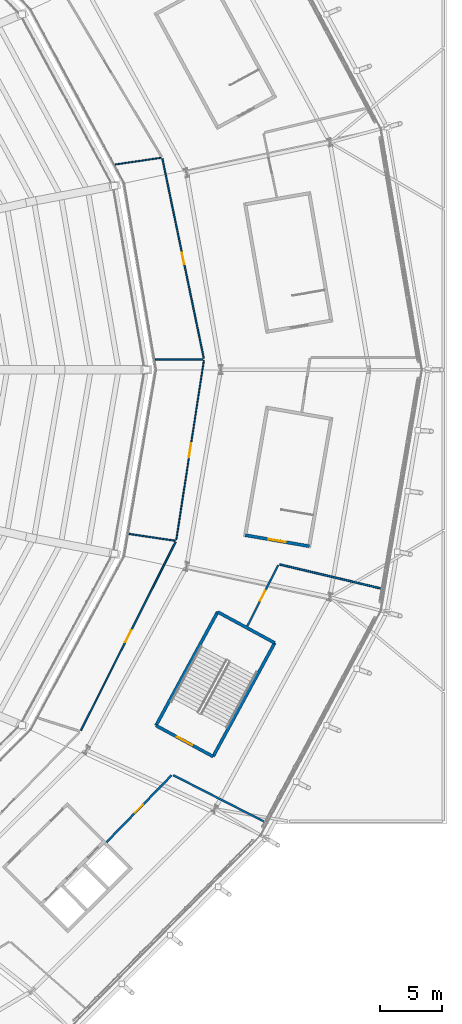
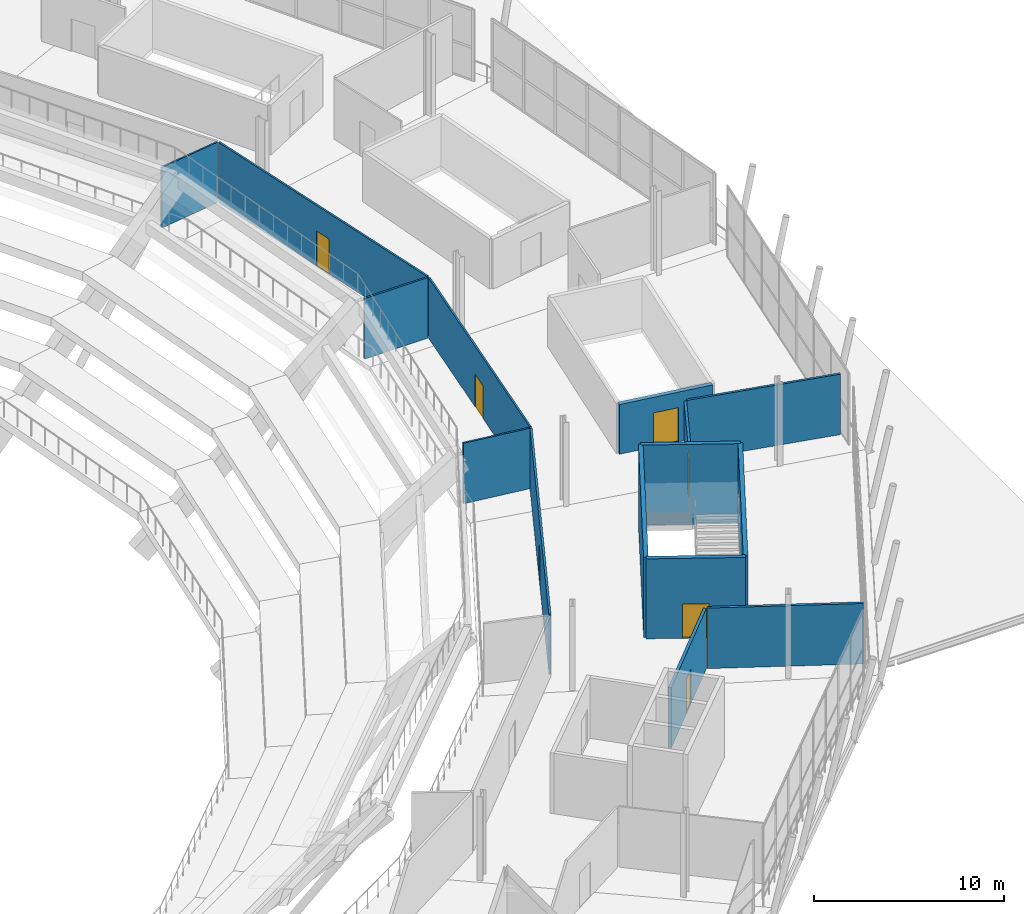
# One storey, part 100 of 126: 15 walls, 7 doors, 7 openings.
"""IFC4 building model written with IfcOpenShell, lengths in metres."""

import ifcopenshell
import ifcopenshell.guid

model = None  # the IFC model being written
_history = None  # IfcOwnerHistory: only IFC2X3 demands one
_inside = {}  # id of a spatial element -> (the spatial element, [elements in it])
_under = {}  # id of a project, library or spatial element -> (it, [spatial elements below it])
_declared = {}  # id of a project -> (the project, [libraries it declares])
_typed = {}  # id of a type object -> (the type object, [elements of that type])
_made_of = {}  # id of a material, layer set ... -> (it, [elements and type objects made of it])


def new_model(schema):
    """Start an empty IFC model of exactly this schema.

    Asked for "IFC4X3", IfcOpenShell would pick the latest addendum, in which some entities
    have other attributes; the version numbers below select the first issue.
    IFC2X3 requires an IfcOwnerHistory on every rooted entity: one is made here for all.
    """
    global model, _history
    if schema == "IFC4X3":
        model = ifcopenshell.file(schema_version=(4, 3, 0, 0))
    else:
        model = ifcopenshell.file(schema=schema)
    _inside.clear()
    _under.clear()
    _declared.clear()
    _typed.clear()
    _made_of.clear()
    _history = None
    if model.schema == "IFC2X3":
        org = make("IfcOrganization", Name="unknown")
        user = make(
            "IfcPersonAndOrganization",
            ThePerson=make("IfcPerson", FamilyName="unknown"),
            TheOrganization=org,
        )
        app = make(
            "IfcApplication",
            ApplicationDeveloper=org,
            Version="unknown",
            ApplicationFullName="unknown",
            ApplicationIdentifier="unknown",
        )
        _history = make(
            "IfcOwnerHistory",
            OwningUser=user,
            OwningApplication=app,
            ChangeAction="ADDED",
            CreationDate=0,
        )
    return model


def make(cls, **values):
    """One entity of the class cls with the attributes given. An attribute that is None is left unset."""
    return model.create_entity(
        cls, **{name: value for name, value in values.items() if value is not None}
    )


def rooted(cls, **values):
    """An entity with a GlobalId (a new one), such as an element, a storey or a relation."""
    return make(cls, GlobalId=ifcopenshell.guid.new(), OwnerHistory=_history, **values)


def si_unit(unit_type, name, prefix=None):
    """IfcSIUnit, for example si_unit("LENGTHUNIT", "METRE", prefix="MILLI")."""
    return make("IfcSIUnit", UnitType=unit_type, Prefix=prefix, Name=name)


def assignment(units):
    """IfcUnitAssignment: the units of a project."""
    return None if units is None else make("IfcUnitAssignment", Units=units)


def point(xyz):
    """IfcCartesianPoint."""
    return None if xyz is None else make("IfcCartesianPoint", Coordinates=xyz)


def direction(xyz):
    """IfcDirection."""
    return None if xyz is None else make("IfcDirection", DirectionRatios=xyz)


def frame(location, z_axis=None, x_axis=None):
    """IfcAxis2Placement3D, a coordinate frame: its origin and axes. An axis left out is left unset."""
    return make(
        "IfcAxis2Placement3D",
        Location=point(location),
        Axis=direction(z_axis),
        RefDirection=direction(x_axis),
    )


def frame_2d(location, x_axis=None):
    """IfcAxis2Placement2D, a coordinate frame in the plane: its origin and x axis."""
    return make(
        "IfcAxis2Placement2D", Location=point(location), RefDirection=direction(x_axis)
    )


def origin():
    """The frame at (0, 0, 0) with its axes left unset."""
    return frame((0.0, 0.0, 0.0))


def place(relative_to, where):
    """IfcLocalPlacement: puts the frame where relative to a parent placement (None: the world)."""
    return make(
        "IfcLocalPlacement", PlacementRelTo=relative_to, RelativePlacement=where
    )


def context(
    kind, dimensions, precision=None, world=None, true_north=None, identifier=None
):
    """IfcGeometricRepresentationContext, for example the 3D "Model" context."""
    return make(
        "IfcGeometricRepresentationContext",
        ContextIdentifier=identifier,
        ContextType=kind,
        CoordinateSpaceDimension=dimensions,
        Precision=precision,
        WorldCoordinateSystem=world,
        TrueNorth=true_north,
    )


def subcontext(parent, identifier, kind, view, scale=None):
    """IfcGeometricRepresentationSubContext, for example "Body" below "Model"."""
    return make(
        "IfcGeometricRepresentationSubContext",
        ContextIdentifier=identifier,
        ContextType=kind,
        ParentContext=parent,
        TargetScale=scale,
        TargetView=view,
    )


def project(units=None, contexts=None):
    """IfcProject with its units and contexts."""
    return rooted(
        "IfcProject",
        Name="project",
        RepresentationContexts=contexts,
        UnitsInContext=assignment(units),
    )


def spatial(cls, under=None, at=None, **own):
    """A site, building, storey or space (cls), placed at a placement, below another one or the project."""
    s = rooted(cls, ObjectPlacement=at, **own)
    if under is not None:
        _under.setdefault(under.id(), (under, []))[1].append(s)
    return s


def profile(cls, at=None, kind="AREA", **sizes):
    """A parametric profile (cls). Its sizes go by their IFC names, for example OverallWidth=200.0."""
    return make(cls, ProfileType=kind, Position=at, **sizes)


def rectangle(**sizes):
    """IfcRectangleProfileDef."""
    return profile("IfcRectangleProfileDef", **sizes)


def extrude(swept, where, along, depth):
    """IfcExtrudedAreaSolid: the profile swept, set in the frame where, extruded along a direction by depth."""
    return make(
        "IfcExtrudedAreaSolid",
        SweptArea=swept,
        Position=where,
        ExtrudedDirection=direction(along),
        Depth=depth,
    )


def shape(context_of_items, identifier, shape_type, items):
    """IfcShapeRepresentation: the items that make up one representation, for example the "Body"."""
    return make(
        "IfcShapeRepresentation",
        ContextOfItems=context_of_items,
        RepresentationIdentifier=identifier,
        RepresentationType=shape_type,
        Items=items,
    )


def material(Name=None, Category=None):
    """IfcMaterial."""
    return make("IfcMaterial", Name=Name, Category=Category)


def layer(
    of_material, thickness, ventilated=None, Name=None, Category=None, Priority=None
):
    """IfcMaterialLayer: one layer of a wall or slab, of a material (None: an air gap)."""
    return make(
        "IfcMaterialLayer",
        Material=of_material,
        LayerThickness=thickness,
        IsVentilated=ventilated,
        Name=Name,
        Category=Category,
        Priority=Priority,
    )


def layer_set(layers, Name=None):
    """IfcMaterialLayerSet."""
    return make("IfcMaterialLayerSet", MaterialLayers=layers, LayerSetName=Name)


def made_of(thing, what):
    """Note that an element or type object is made of a material, layer set ...; save() writes the relation."""
    if what is not None:
        _made_of.setdefault(what.id(), (what, []))[1].append(thing)
    return thing


def type_object(cls, material=None, **own):
    """A type object (cls), such as IfcWallType, which elements share."""
    return made_of(rooted(cls, **own), material)


def element(
    cls,
    number,
    at=None,
    inside=None,
    cuts=None,
    type_object=None,
    material=None,
    context=None,
    identifier="Body",
    shape_type=None,
    held_by="IfcProductDefinitionShape",
    body=None,
    shapes=None,
    **own,
):
    """One element of the class cls, such as IfcWall. Its Tag is "e" and its number.

    at: its placement. inside: the storey or other place that contains it. cuts: it is an
    opening in that element (IfcRelVoidsElement). A single representation is given by context,
    identifier, shape_type and body (its items); several are given by shapes. held_by: the class
    of the entity that holds the representations. save() writes the other relations.
    """
    e = rooted(cls, Tag="e%d" % number, ObjectPlacement=at, **own)
    if body is not None:
        shapes = [shape(context, identifier, shape_type, body)]
    if shapes is not None:
        e.Representation = make(held_by, Representations=shapes)
    if inside is not None:
        _inside.setdefault(inside.id(), (inside, []))[1].append(e)
    if cuts is not None:
        rooted(
            "IfcRelVoidsElement", RelatingBuildingElement=cuts, RelatedOpeningElement=e
        )
    if type_object is not None:
        _typed.setdefault(type_object.id(), (type_object, []))[1].append(e)
    return made_of(e, material)


def fill(opening, filler):
    """IfcRelFillsElement: the door or window that sits in an opening."""
    return rooted(
        "IfcRelFillsElement",
        RelatingOpeningElement=opening,
        RelatedBuildingElement=filler,
    )


def aggregate(whole, parts):
    """IfcRelAggregates: a whole, such as a stair, and the parts it consists of."""
    return rooted("IfcRelAggregates", RelatingObject=whole, RelatedObjects=parts)


def save(model, path):
    """Write the relations noted so far, then the file.

    IfcRelAggregates (storeys below a building ...), IfcRelContainedInSpatialStructure (elements
    in a storey), IfcRelDefinesByType, IfcRelAssociatesMaterial and IfcRelDeclares: one each for
    every whole, place, type object, material and project.
    """
    for whole, parts in _under.values():
        aggregate(whole, parts)
    for where, things in _inside.values():
        rooted(
            "IfcRelContainedInSpatialStructure",
            RelatedElements=things,
            RelatingStructure=where,
        )
    for kind, things in _typed.values():
        rooted("IfcRelDefinesByType", RelatedObjects=things, RelatingType=kind)
    for what, things in _made_of.values():
        rooted("IfcRelAssociatesMaterial", RelatedObjects=things, RelatingMaterial=what)
    for by, libraries in _declared.values():
        rooted("IfcRelDeclares", RelatingContext=by, RelatedDefinitions=libraries)
    model.write(path)


model = new_model("IFC4")

# Units and contexts
model_context = context("Model", 3, precision=1e-05, world=origin(), true_north=direction((0.0, 1.0)))
body_context = subcontext(model_context, "Body", "Model", "MODEL_VIEW")
ifc_project = project(units=[si_unit("LENGTHUNIT", "METRE"), si_unit("AREAUNIT", "SQUARE_METRE"), si_unit("VOLUMEUNIT", "CUBIC_METRE"), si_unit("PLANEANGLEUNIT", "RADIAN"), si_unit("MASSUNIT", "GRAM", prefix="KILO")], contexts=[model_context])

# Site, building, storey
site_placement = place(None, origin())
site = spatial("IfcSite", under=ifc_project, at=site_placement, CompositionType="ELEMENT")
building_placement = place(site_placement, origin())
building = spatial("IfcBuilding", under=site, at=building_placement, Name="Zlatoyarsky Gate Stadium", CompositionType="ELEMENT")
storey_placement = place(building_placement, frame((0.0, 0.0, 20.800048828125)))
storey = spatial("IfcBuildingStorey", under=building, at=storey_placement, Name="L04", CompositionType="ELEMENT", Elevation=20.800048828125)

# Wall, opening, door
ifc_material_1 = material(Name="Double-stud acoustic gypsum partition", Category="gypsum")
ifc_layer_1 = layer(ifc_material_1, 0.169921875)
ifc_layer_set_1 = layer_set([ifc_layer_1], Name="Double-stud acoustic gypsum partition")
wall_type_1 = type_object("IfcWallType", Name="ACOUSTIC BROADCAST STUDIO WALL 170", PredefinedType="PARTITIONING", material=ifc_layer_set_1)
wall_1_placement = place(storey_placement, frame((182.773681640625, 41.812255859375, 0.0), z_axis=(0.0, 0.0, 1.0), x_axis=(0.697422964576, 0.716659757822, 0.0)))
wall_1 = element("IfcWall", 1, at=wall_1_placement, inside=storey, type_object=wall_type_1, Name="L04 interior partition PRT-L04-OCC-21-1", PredefinedType="PARTITIONING", context=body_context, shape_type="SweptSolid", body=[
    extrude(rectangle(XDim=7.52587890625, YDim=0.169921875, at=frame_2d((3.762939453125, 0.0))), origin(), (0.0, 0.0, 1.0), 3.889892578125),
])
opening_1_placement = place(wall_1_placement, frame((3.31298828125, 0.0, 0.0)))
opening_1 = element("IfcOpeningElement", 2, at=opening_1_placement, cuts=wall_1, Name="Opening D-L04-600", PredefinedType="OPENING", context=body_context, shape_type="SweptSolid", body=[
    extrude(rectangle(XDim=0.89990234375, YDim=2.239990234375, at=frame_2d((0.449951171875, 1.1201171875))), frame((0.0, 0.094970703125, 0.0), z_axis=(0.0, -1.0, 0.0), x_axis=(1.0, 0.0, 0.0)), (0.0, 0.0, 1.0), 0.18994140625),
])
ifc_material_2 = material(Name="Powder-coated steel fire door", Category="steel")
door_type_1 = type_object("IfcDoorType", Name="ACOUSTIC INTERIOR DOOR 900X2240", OperationType="NOTDEFINED", PredefinedType="DOOR", material=ifc_material_2)
door_1_placement = place(opening_1_placement, origin())
door_1 = element("IfcDoor", 3, at=door_1_placement, inside=storey, type_object=door_type_1, Name="L04 room door D-L04-600", OperationType="SINGLE_SWING_LEFT", OverallHeight=2.239990234375, OverallWidth=0.89990234375, PredefinedType="DOOR", context=body_context, shape_type="SweptSolid", body=[
    extrude(rectangle(XDim=0.89990234375, YDim=2.239990234375, at=frame_2d((0.449951171875, 1.1201171875))), frame((0.0, 0.02490234375, 0.0), z_axis=(0.0, -1.0, 0.0), x_axis=(1.0, 0.0, 0.0)), (0.0, 0.0, 1.0), 0.050048828125),
])
fill(opening_1, door_1)

# Walls
ifc_material_3 = material(Name="Anodised aluminium acoustic operable wall", Category="aluminium")
ifc_layer_2 = layer(ifc_material_3, 0.114990234375)
ifc_layer_set_2 = layer_set([ifc_layer_2], Name="Anodised aluminium acoustic operable wall")
wall_type_2 = type_object("IfcWallType", Name="ACOUSTIC OPERABLE SUITE WALL 115", PredefinedType="MOVABLE", material=ifc_layer_set_2)
wall_2_placement = place(storey_placement, frame((186.7216796875, 80.837890625, 0.0), z_axis=(0.0, 0.0, 1.0), x_axis=(0.999999991949, -0.000126895501, 0.0)))
element("IfcWall", 4, at=wall_2_placement, inside=storey, type_object=wall_type_2, Name="L04 interior partition PRT-L04-IRD-00", PredefinedType="MOVABLE", context=body_context, shape_type="SweptSolid", body=[
    extrude(rectangle(XDim=3.847900390625, YDim=0.114990234375, at=frame_2d((1.923828125, 0.0))), origin(), (0.0, 0.0, 1.0), 3.889892578125),
])
ifc_material_4 = material(Name="Moisture-resistant masonry partition", Category="masonry")
ifc_layer_3 = layer(ifc_material_4, 0.139892578125)
ifc_layer_set_3 = layer_set([ifc_layer_3], Name="Moisture-resistant masonry partition")
wall_type_3 = type_object("IfcWallType", Name="ATHLETE CHANGING BLOCK PARTITION 140", PredefinedType="PARTITIONING", material=ifc_layer_set_3)
wall_3_placement = place(storey_placement, frame((196.768310546875, 64.260498046875, 0.0), z_axis=(0.0, 0.0, 1.0), x_axis=(0.973030368759, -0.230677050167, 0.0)))
element("IfcWall", 5, at=wall_3_placement, inside=storey, type_object=wall_type_3, Name="L04 interior partition PRT-L04-ORD-22R", PredefinedType="PARTITIONING", context=body_context, shape_type="SweptSolid", body=[
    extrude(rectangle(XDim=8.431884765625, YDim=0.139892578125, at=frame_2d((4.2158203125, 0.0))), origin(), (0.0, 0.0, 1.0), 3.889892578125),
])

# Wall, opening, door
ifc_material_5 = material(Name="Metal-stud gypsum partition", Category="gypsum")
ifc_layer_4 = layer(ifc_material_5, 0.14990234375)
ifc_layer_set_4 = layer_set([ifc_layer_4], Name="Metal-stud gypsum partition")
wall_type_4 = type_object("IfcWallType", Name="CONCOURSE CORRIDOR PARTITION 150", PredefinedType="PARTITIONING", material=ifc_layer_set_4)
wall_4_placement = place(storey_placement, frame((194.150634765625, 59.267578125, 0.0), z_axis=(0.0, 0.0, 1.0), x_axis=(0.451304453126, 0.892370041288, 0.0)))
wall_4 = element("IfcWall", 6, at=wall_4_placement, inside=storey, type_object=wall_type_4, Name="L04 interior partition PRT-L04-OCC-22-1", PredefinedType="PARTITIONING", context=body_context, shape_type="SweptSolid", body=[
    extrude(rectangle(XDim=5.531982421875, YDim=0.14990234375, at=frame_2d((2.76611328125, 0.0))), origin(), (0.0, 0.0, 1.0), 3.889892578125),
])
opening_2_placement = place(wall_4_placement, frame((2.31591796875, 0.0, 0.0)))
opening_2 = element("IfcOpeningElement", 7, at=opening_2_placement, cuts=wall_4, Name="Opening D-L04-602", PredefinedType="OPENING", context=body_context, shape_type="SweptSolid", body=[
    extrude(rectangle(XDim=0.89990234375, YDim=2.3798828125, at=frame_2d((0.449951171875, 1.18994140625))), frame((0.0, 0.0849609375, 0.0), z_axis=(0.0, -1.0, 0.0), x_axis=(1.0, 0.0, 0.0)), (0.0, 0.0, 1.0), 0.169921875),
])
door_type_2 = type_object("IfcDoorType", Name="ACOUSTIC INTERIOR DOOR 900X2380", OperationType="NOTDEFINED", PredefinedType="DOOR", material=ifc_material_2)
door_2_placement = place(opening_2_placement, origin())
door_2 = element("IfcDoor", 8, at=door_2_placement, inside=storey, type_object=door_type_2, Name="L04 room door D-L04-602", OperationType="SINGLE_SWING_RIGHT", OverallHeight=2.3798828125, OverallWidth=0.89990234375, PredefinedType="DOOR", context=body_context, shape_type="SweptSolid", body=[
    extrude(rectangle(XDim=0.89990234375, YDim=2.3798828125, at=frame_2d((0.449951171875, 1.18994140625))), frame((0.0, 0.02490234375, 0.0), z_axis=(0.0, -1.0, 0.0), x_axis=(1.0, 0.0, 0.0)), (0.0, 0.0, 1.0), 0.050048828125),
])
fill(opening_2, door_2)

ifc_material_6 = material(Name="Concrete C40/50", Category="concrete")
ifc_layer_5 = layer(ifc_material_6, 0.25)
ifc_layer_set_5 = layer_set([ifc_layer_5], Name="Concrete C40/50")
wall_type_5 = type_object("IfcWallType", Name="CONCRETE STAIR CORE SHEAR WALL 250", PredefinedType="SHEAR", material=ifc_layer_set_5)
wall_5_placement = place(storey_placement, frame((186.770263671875, 51.235107421875, 0.0), z_axis=(0.0, 0.0, 1.0), x_axis=(0.878941993928, -0.476928685769, 0.0)))
wall_5 = element("IfcWall", 9, at=wall_5_placement, inside=storey, type_object=wall_type_5, Name="ST-12 L04 stair core entrance shear wall", PredefinedType="SHEAR", context=body_context, shape_type="SweptSolid", body=[
    extrude(rectangle(XDim=5.25, YDim=0.25, at=frame_2d((2.625, 0.0))), origin(), (0.0, 0.0, 1.0), 5.139892578125),
])
opening_3_placement = place(wall_5_placement, frame((1.925048828125, 0.0, 0.0)))
opening_3 = element("IfcOpeningElement", 10, at=opening_3_placement, cuts=wall_5, Name="Opening SD-ST-12-L04", PredefinedType="OPENING", context=body_context, shape_type="SweptSolid", body=[
    extrude(rectangle(XDim=1.39990234375, YDim=2.199951171875, at=frame_2d((0.699951171875, 1.10009765625))), frame((0.0, 0.135009765625, 0.0), z_axis=(0.0, -1.0, 0.0), x_axis=(1.0, 0.0, 0.0)), (0.0, 0.0, 1.0), 0.27001953125),
])
door_type_3 = type_object("IfcDoorType", Name="STAIR CORE FIRE EXIT DOOR 1400X2200", OperationType="NOTDEFINED", PredefinedType="DOOR", material=ifc_material_2)
door_3_placement = place(opening_3_placement, frame((1.39990234375, 0.0, 0.0), z_axis=(0.0, 0.0, 1.0), x_axis=(-1.0, 0.0, 0.0)))
door_3 = element("IfcDoor", 11, at=door_3_placement, inside=storey, type_object=door_type_3, Name="ST-12 L04 stair fire door", OperationType="SINGLE_SWING_LEFT", OverallHeight=2.199951171875, OverallWidth=1.39990234375, PredefinedType="DOOR", context=body_context, shape_type="SweptSolid", body=[
    extrude(rectangle(XDim=1.39990234375, YDim=2.199951171875, at=frame_2d((0.699951171875, 1.10009765625))), frame((0.0, 0.02490234375, 0.0), z_axis=(0.0, -1.0, 0.0), x_axis=(1.0, 0.0, 0.0)), (0.0, 0.0, 1.0), 0.050048828125),
])
fill(opening_3, door_3)

# Walls
wall_6_placement = place(storey_placement, frame((191.384765625, 48.731201171875, 0.0), z_axis=(0.0, 0.0, 1.0), x_axis=(0.476876856974, 0.878970115125, 0.0)))
element("IfcWall", 12, at=wall_6_placement, inside=storey, type_object=wall_type_5, Name="ST-12 L04 stair core left shear wall", PredefinedType="SHEAR", context=body_context, shape_type="SweptSolid", body=[
    extrude(rectangle(XDim=10.4501953125, YDim=0.25, at=frame_2d((5.22509765625, 0.0))), origin(), (0.0, 0.0, 1.0), 5.139892578125),
])
wall_7_placement = place(storey_placement, frame((196.3681640625, 57.91650390625, 0.0), z_axis=(0.0, 0.0, 1.0), x_axis=(-0.878961487093, 0.47689275965, 0.0)))
element("IfcWall", 13, at=wall_7_placement, inside=storey, type_object=wall_type_5, Name="ST-12 L04 stair core far shear wall", PredefinedType="SHEAR", context=body_context, shape_type="SweptSolid", body=[
    extrude(rectangle(XDim=5.25, YDim=0.25, at=frame_2d((2.625, 0.0))), origin(), (0.0, 0.0, 1.0), 5.139892578125),
])
wall_8_placement = place(storey_placement, frame((191.753662109375, 60.420166015625, 0.0), z_axis=(0.0, 0.0, 1.0), x_axis=(-0.476886649814, -0.878964802042, 0.0)))
element("IfcWall", 14, at=wall_8_placement, inside=storey, type_object=wall_type_5, Name="ST-12 L04 stair core right shear wall", PredefinedType="SHEAR", context=body_context, shape_type="SweptSolid", body=[
    extrude(rectangle(XDim=10.449951171875, YDim=0.25, at=frame_2d((5.22509765625, 0.0))), origin(), (0.0, 0.0, 1.0), 5.139892578125),
])

# Wall, opening, door
wall_9_placement = place(storey_placement, frame((193.98681640625, 66.625244140625, 0.0), z_axis=(0.0, 0.0, 1.0), x_axis=(0.985457162135, -0.16992404655, 0.0)))
wall_9 = element("IfcWall", 15, at=wall_9_placement, inside=storey, type_object=wall_type_5, Name="ST-20 L04 stair core entrance shear wall", PredefinedType="SHEAR", context=body_context, shape_type="SweptSolid", body=[
    extrude(rectangle(XDim=5.25, YDim=0.25, at=frame_2d((2.625, 0.0))), origin(), (0.0, 0.0, 1.0), 3.199951171875),
])
opening_4_placement = place(wall_9_placement, frame((1.925048828125, 0.0, 0.0)))
opening_4 = element("IfcOpeningElement", 16, at=opening_4_placement, cuts=wall_9, Name="Opening SD-ST-20-L04", PredefinedType="OPENING", context=body_context, shape_type="SweptSolid", body=[
    extrude(rectangle(XDim=1.39990234375, YDim=2.199951171875, at=frame_2d((0.699951171875, 1.10009765625))), frame((0.0, 0.135009765625, 0.0), z_axis=(0.0, -1.0, 0.0), x_axis=(1.0, 0.0, 0.0)), (0.0, 0.0, 1.0), 0.27001953125),
])
door_4_placement = place(opening_4_placement, frame((1.39990234375, 0.0, 0.0), z_axis=(0.0, 0.0, 1.0), x_axis=(-1.0, 0.0, 0.0)))
door_4 = element("IfcDoor", 17, at=door_4_placement, inside=storey, type_object=door_type_3, Name="ST-20 L04 stair fire door", OperationType="SINGLE_SWING_RIGHT", OverallHeight=2.199951171875, OverallWidth=1.39990234375, PredefinedType="DOOR", context=body_context, shape_type="SweptSolid", body=[
    extrude(rectangle(XDim=1.39990234375, YDim=2.199951171875, at=frame_2d((0.699951171875, 1.10009765625))), frame((0.0, 0.02490234375, 0.0), z_axis=(0.0, -1.0, 0.0), x_axis=(1.0, 0.0, 0.0)), (0.0, 0.0, 1.0), 0.050048828125),
])
fill(opening_4, door_4)

# Wall
ifc_material_7 = material(Name="Acoustic metal-stud gypsum partition", Category="gypsum")
ifc_layer_6 = layer(ifc_material_7, 0.159912109375)
ifc_layer_set_6 = layer_set([ifc_layer_6], Name="Acoustic metal-stud gypsum partition")
wall_type_6 = type_object("IfcWallType", Name="HOSPITALITY SUITE PARTITION 160", PredefinedType="PARTITIONING", material=ifc_layer_set_6)
wall_10_placement = place(storey_placement, frame((188.157470703125, 47.227783203125, 0.0), z_axis=(0.0, 0.0, 1.0), x_axis=(0.890579009187, -0.454828570337, 0.0)))
element("IfcWall", 18, at=wall_10_placement, inside=storey, type_object=wall_type_6, Name="L04 interior partition PRT-L04-ORD-21R", PredefinedType="PARTITIONING", context=body_context, shape_type="SweptSolid", body=[
    extrude(rectangle(XDim=8.25390625, YDim=0.159912109375, at=frame_2d((4.126953125, 0.0))), origin(), (0.0, 0.0, 1.0), 3.889892578125),
])

# Wall, opening, door
ifc_layer_7 = layer(ifc_material_5, 0.110107421875)
ifc_layer_set_7 = layer_set([ifc_layer_7], Name="Metal-stud gypsum partition")
wall_type_7 = type_object("IfcWallType", Name="KIOSK SERVICE PARTITION 110", PredefinedType="PARTITIONING", material=ifc_layer_set_7)
wall_11_placement = place(storey_placement, frame((190.63720703125, 80.920654296875, 0.0), z_axis=(0.0, 0.0, 1.0), x_axis=(-0.20337900125, 0.97910008776, 0.0)))
wall_11 = element("IfcWall", 19, at=wall_11_placement, inside=storey, type_object=wall_type_7, Name="L04 vomitory portal wall PRT-L04-ICC-00", PredefinedType="PARTITIONING", context=body_context, shape_type="SweptSolid", body=[
    extrude(rectangle(XDim=16.491455078125, YDim=0.110107421875, at=frame_2d((8.24560546875, 0.0))), origin(), (0.0, 0.0, 1.0), 3.889892578125),
])
opening_5_placement = place(wall_11_placement, frame((7.765625, 0.0, 0.0)))
opening_5 = element("IfcOpeningElement", 20, at=opening_5_placement, cuts=wall_11, Name="Opening D-L04-496", PredefinedType="OPENING", context=body_context, shape_type="SweptSolid", body=[
    extrude(rectangle(XDim=0.9599609375, YDim=2.239990234375, at=frame_2d((0.47998046875, 1.1201171875))), frame((0.0, 0.06494140625, 0.0), z_axis=(0.0, -1.0, 0.0), x_axis=(1.0, 0.0, 0.0)), (0.0, 0.0, 1.0), 0.130126953125),
])
ifc_material_8 = material(Name="Solid-core oak veneer acoustic door", Category="wood")
door_type_4 = type_object("IfcDoorType", Name="ACOUSTIC INTERIOR DOOR 960X2240", OperationType="NOTDEFINED", PredefinedType="DOOR", material=ifc_material_8)
door_5_placement = place(opening_5_placement, origin())
door_5 = element("IfcDoor", 21, at=door_5_placement, inside=storey, type_object=door_type_4, Name="L04 vomitory portal door D-L04-496", OperationType="SINGLE_SWING_RIGHT", OverallHeight=2.239990234375, OverallWidth=0.9599609375, PredefinedType="DOOR", context=body_context, shape_type="SweptSolid", body=[
    extrude(rectangle(XDim=0.9599609375, YDim=2.239990234375, at=frame_2d((0.47998046875, 1.1201171875))), frame((0.0, 0.02490234375, 0.0), z_axis=(0.0, -1.0, 0.0), x_axis=(1.0, 0.0, 0.0)), (0.0, 0.0, 1.0), 0.050048828125),
])
fill(opening_5, door_5)

# Walls
wall_12_placement = place(storey_placement, frame((184.593994140625, 66.72705078125, 0.0), z_axis=(0.0, 0.0, 1.0), x_axis=(0.989221235958, -0.146428639037, 0.0)))
element("IfcWall", 22, at=wall_12_placement, inside=storey, type_object=wall_type_7, Name="L04 interior partition PRT-L04-IRD-23", PredefinedType="PARTITIONING", context=body_context, shape_type="SweptSolid", body=[
    extrude(rectangle(XDim=3.759765625, YDim=0.110107421875, at=frame_2d((1.8798828125, 0.0))), origin(), (0.0, 0.0, 1.0), 3.889892578125),
])
ifc_layer_8 = layer(ifc_material_5, 0.10009765625)
ifc_layer_set_8 = layer_set([ifc_layer_8], Name="Metal-stud gypsum partition")
wall_type_8 = type_object("IfcWallType", Name="LIGHT STORAGE PARTITION 100", PredefinedType="PARTITIONING", material=ifc_layer_set_8)
wall_13_placement = place(storey_placement, frame((183.475830078125, 96.593017578125, 0.0), z_axis=(0.0, 0.0, 1.0), x_axis=(0.989351683465, 0.145544654403, 0.0)))
element("IfcWall", 23, at=wall_13_placement, inside=storey, type_object=wall_type_8, Name="L04 interior partition PRT-L04-IRD-01", PredefinedType="PARTITIONING", context=body_context, shape_type="SweptSolid", body=[
    extrude(rectangle(XDim=3.74560546875, YDim=0.10009765625, at=frame_2d((1.872802734375, 0.0))), origin(), (0.0, 0.0, 1.0), 3.889892578125),
])

# Wall, opening, door
wall_14_placement = place(storey_placement, frame((188.410400390625, 66.248046875, 0.0), z_axis=(0.0, 0.0, 1.0), x_axis=(0.15203093296, 0.988375735954, 0.0)))
wall_14 = element("IfcWall", 24, at=wall_14_placement, inside=storey, type_object=wall_type_8, Name="L04 interior partition PRT-L04-ICC-23", PredefinedType="PARTITIONING", context=body_context, shape_type="SweptSolid", body=[
    extrude(rectangle(XDim=14.676025390625, YDim=0.10009765625, at=frame_2d((7.337890625, 0.0))), origin(), (0.0, 0.0, 1.0), 3.889892578125),
])
opening_6_placement = place(wall_14_placement, frame((6.758056640625, 0.0, 0.0)))
opening_6 = element("IfcOpeningElement", 25, at=opening_6_placement, cuts=wall_14, Name="Opening D-L04-557", PredefinedType="OPENING", context=body_context, shape_type="SweptSolid", body=[
    extrude(rectangle(XDim=1.159912109375, YDim=2.10009765625, at=frame_2d((0.580078125, 1.050048828125))), frame((0.0, 0.06005859375, 0.0), z_axis=(0.0, -1.0, 0.0), x_axis=(1.0, 0.0, 0.0)), (0.0, 0.0, 1.0), 0.1201171875),
])
door_type_5 = type_object("IfcDoorType", Name="ACOUSTIC INTERIOR DOOR 1160X2100", OperationType="NOTDEFINED", PredefinedType="DOOR", material=ifc_material_8)
door_6_placement = place(opening_6_placement, origin())
door_6 = element("IfcDoor", 26, at=door_6_placement, inside=storey, type_object=door_type_5, Name="L04 room door D-L04-557", OperationType="SINGLE_SWING_RIGHT", OverallHeight=2.10009765625, OverallWidth=1.159912109375, PredefinedType="DOOR", context=body_context, shape_type="SweptSolid", body=[
    extrude(rectangle(XDim=1.159912109375, YDim=2.10009765625, at=frame_2d((0.580078125, 1.050048828125))), frame((0.0, 0.02490234375, 0.0), z_axis=(0.0, -1.0, 0.0), x_axis=(1.0, 0.0, 0.0)), (0.0, 0.0, 1.0), 0.050048828125),
])
fill(opening_6, door_6)

ifc_layer_9 = layer(ifc_material_5, 0.1201171875)
ifc_layer_set_9 = layer_set([ifc_layer_9], Name="Metal-stud gypsum partition")
wall_type_9 = type_object("IfcWallType", Name="OFFICE AND PRESS PARTITION 120", PredefinedType="PARTITIONING", material=ifc_layer_set_9)
wall_15_placement = place(storey_placement, frame((180.698486328125, 50.835205078125, 0.0), z_axis=(0.0, 0.0, 1.0), x_axis=(0.448814868912, 0.893624760984, 0.0)))
wall_15 = element("IfcWall", 27, at=wall_15_placement, inside=storey, type_object=wall_type_9, Name="L04 vomitory portal wall PRT-L04-ICC-22", PredefinedType="PARTITIONING", context=body_context, shape_type="SweptSolid", body=[
    extrude(rectangle(XDim=17.068603515625, YDim=0.1201171875, at=frame_2d((8.5341796875, 0.0))), origin(), (0.0, 0.0, 1.0), 3.889892578125),
])
opening_7_placement = place(wall_15_placement, frame((7.994384765625, 0.0, 0.0)))
opening_7 = element("IfcOpeningElement", 28, at=opening_7_placement, cuts=wall_15, Name="Opening D-L04-555", PredefinedType="OPENING", context=body_context, shape_type="SweptSolid", body=[
    extrude(rectangle(XDim=1.080078125, YDim=2.239990234375, at=frame_2d((0.5400390625, 1.1201171875))), frame((0.0, 0.070068359375, 0.0), z_axis=(0.0, -1.0, 0.0), x_axis=(1.0, 0.0, 0.0)), (0.0, 0.0, 1.0), 0.14013671875),
])
door_type_6 = type_object("IfcDoorType", Name="ACOUSTIC INTERIOR DOOR 1080X2240", OperationType="NOTDEFINED", PredefinedType="DOOR", material=ifc_material_8)
door_7_placement = place(opening_7_placement, origin())
door_7 = element("IfcDoor", 29, at=door_7_placement, inside=storey, type_object=door_type_6, Name="L04 vomitory portal door D-L04-555", OperationType="SINGLE_SWING_LEFT", OverallHeight=2.239990234375, OverallWidth=1.080078125, PredefinedType="DOOR", context=body_context, shape_type="SweptSolid", body=[
    extrude(rectangle(XDim=1.080078125, YDim=2.239990234375, at=frame_2d((0.5400390625, 1.1201171875))), frame((0.0, 0.02490234375, 0.0), z_axis=(0.0, -1.0, 0.0), x_axis=(1.0, 0.0, 0.0)), (0.0, 0.0, 1.0), 0.050048828125),
])
fill(opening_7, door_7)

save(model, "model.ifc")
